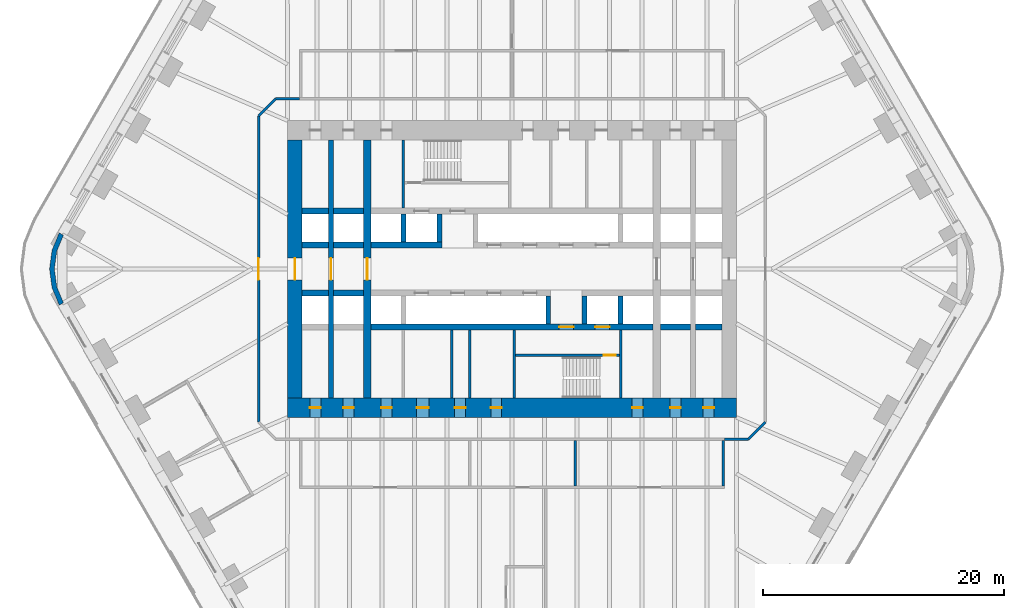
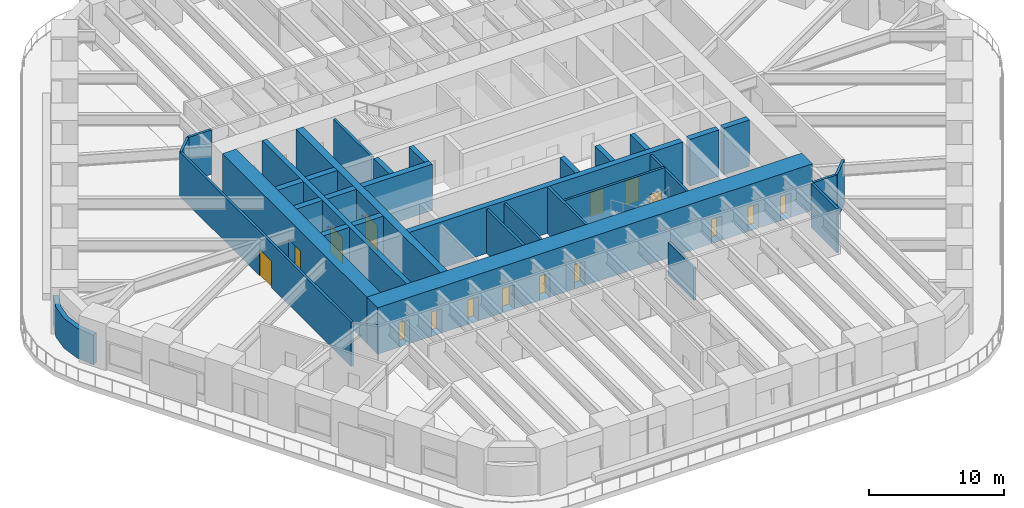
# One storey, part 17 of 23: 33 walls, 16 doors, 16 openings.
"""IFC4 building model written with IfcOpenShell, lengths in metres."""

import ifcopenshell
import ifcopenshell.guid

model = None  # the IFC model being written
_history = None  # IfcOwnerHistory: only IFC2X3 demands one
_inside = {}  # id of a spatial element -> (the spatial element, [elements in it])
_under = {}  # id of a project, library or spatial element -> (it, [spatial elements below it])
_declared = {}  # id of a project -> (the project, [libraries it declares])
_typed = {}  # id of a type object -> (the type object, [elements of that type])
_made_of = {}  # id of a material, layer set ... -> (it, [elements and type objects made of it])


def new_model(schema):
    """Start an empty IFC model of exactly this schema.

    Asked for "IFC4X3", IfcOpenShell would pick the latest addendum, in which some entities
    have other attributes; the version numbers below select the first issue.
    IFC2X3 requires an IfcOwnerHistory on every rooted entity: one is made here for all.
    """
    global model, _history
    if schema == "IFC4X3":
        model = ifcopenshell.file(schema_version=(4, 3, 0, 0))
    else:
        model = ifcopenshell.file(schema=schema)
    _inside.clear()
    _under.clear()
    _declared.clear()
    _typed.clear()
    _made_of.clear()
    _history = None
    if model.schema == "IFC2X3":
        org = make("IfcOrganization", Name="unknown")
        user = make(
            "IfcPersonAndOrganization",
            ThePerson=make("IfcPerson", FamilyName="unknown"),
            TheOrganization=org,
        )
        app = make(
            "IfcApplication",
            ApplicationDeveloper=org,
            Version="unknown",
            ApplicationFullName="unknown",
            ApplicationIdentifier="unknown",
        )
        _history = make(
            "IfcOwnerHistory",
            OwningUser=user,
            OwningApplication=app,
            ChangeAction="ADDED",
            CreationDate=0,
        )
    return model


def make(cls, **values):
    """One entity of the class cls with the attributes given. An attribute that is None is left unset."""
    return model.create_entity(
        cls, **{name: value for name, value in values.items() if value is not None}
    )


def rooted(cls, **values):
    """An entity with a GlobalId (a new one), such as an element, a storey or a relation."""
    return make(cls, GlobalId=ifcopenshell.guid.new(), OwnerHistory=_history, **values)


def si_unit(unit_type, name, prefix=None):
    """IfcSIUnit, for example si_unit("LENGTHUNIT", "METRE", prefix="MILLI")."""
    return make("IfcSIUnit", UnitType=unit_type, Prefix=prefix, Name=name)


def assignment(units):
    """IfcUnitAssignment: the units of a project."""
    return None if units is None else make("IfcUnitAssignment", Units=units)


def point(xyz):
    """IfcCartesianPoint."""
    return None if xyz is None else make("IfcCartesianPoint", Coordinates=xyz)


def direction(xyz):
    """IfcDirection."""
    return None if xyz is None else make("IfcDirection", DirectionRatios=xyz)


def frame(location, z_axis=None, x_axis=None):
    """IfcAxis2Placement3D, a coordinate frame: its origin and axes. An axis left out is left unset."""
    return make(
        "IfcAxis2Placement3D",
        Location=point(location),
        Axis=direction(z_axis),
        RefDirection=direction(x_axis),
    )


def frame_2d(location, x_axis=None):
    """IfcAxis2Placement2D, a coordinate frame in the plane: its origin and x axis."""
    return make(
        "IfcAxis2Placement2D", Location=point(location), RefDirection=direction(x_axis)
    )


def origin():
    """The frame at (0, 0, 0) with its axes left unset."""
    return frame((0.0, 0.0, 0.0))


def place(relative_to, where):
    """IfcLocalPlacement: puts the frame where relative to a parent placement (None: the world)."""
    return make(
        "IfcLocalPlacement", PlacementRelTo=relative_to, RelativePlacement=where
    )


def context(
    kind, dimensions, precision=None, world=None, true_north=None, identifier=None
):
    """IfcGeometricRepresentationContext, for example the 3D "Model" context."""
    return make(
        "IfcGeometricRepresentationContext",
        ContextIdentifier=identifier,
        ContextType=kind,
        CoordinateSpaceDimension=dimensions,
        Precision=precision,
        WorldCoordinateSystem=world,
        TrueNorth=true_north,
    )


def subcontext(parent, identifier, kind, view, scale=None):
    """IfcGeometricRepresentationSubContext, for example "Body" below "Model"."""
    return make(
        "IfcGeometricRepresentationSubContext",
        ContextIdentifier=identifier,
        ContextType=kind,
        ParentContext=parent,
        TargetScale=scale,
        TargetView=view,
    )


def project(units=None, contexts=None):
    """IfcProject with its units and contexts."""
    return rooted(
        "IfcProject",
        Name="project",
        RepresentationContexts=contexts,
        UnitsInContext=assignment(units),
    )


def spatial(cls, under=None, at=None, **own):
    """A site, building, storey or space (cls), placed at a placement, below another one or the project."""
    s = rooted(cls, ObjectPlacement=at, **own)
    if under is not None:
        _under.setdefault(under.id(), (under, []))[1].append(s)
    return s


def polyline(points):
    """IfcPolyline through the points."""
    return make("IfcPolyline", Points=[point(p) for p in points])


def profile(cls, at=None, kind="AREA", **sizes):
    """A parametric profile (cls). Its sizes go by their IFC names, for example OverallWidth=200.0."""
    return make(cls, ProfileType=kind, Position=at, **sizes)


def rectangle(**sizes):
    """IfcRectangleProfileDef."""
    return profile("IfcRectangleProfileDef", **sizes)


def outline(outer, holes=None, kind="AREA"):
    """IfcArbitraryClosedProfileDef: a profile drawn as a closed curve; with holes, ...WithVoids."""
    if holes is None:
        return make("IfcArbitraryClosedProfileDef", ProfileType=kind, OuterCurve=outer)
    return make(
        "IfcArbitraryProfileDefWithVoids",
        ProfileType=kind,
        OuterCurve=outer,
        InnerCurves=holes,
    )


def extrude(swept, where, along, depth):
    """IfcExtrudedAreaSolid: the profile swept, set in the frame where, extruded along a direction by depth."""
    return make(
        "IfcExtrudedAreaSolid",
        SweptArea=swept,
        Position=where,
        ExtrudedDirection=direction(along),
        Depth=depth,
    )


def shape(context_of_items, identifier, shape_type, items):
    """IfcShapeRepresentation: the items that make up one representation, for example the "Body"."""
    return make(
        "IfcShapeRepresentation",
        ContextOfItems=context_of_items,
        RepresentationIdentifier=identifier,
        RepresentationType=shape_type,
        Items=items,
    )


def material(Name=None, Category=None):
    """IfcMaterial."""
    return make("IfcMaterial", Name=Name, Category=Category)


def layer(
    of_material, thickness, ventilated=None, Name=None, Category=None, Priority=None
):
    """IfcMaterialLayer: one layer of a wall or slab, of a material (None: an air gap)."""
    return make(
        "IfcMaterialLayer",
        Material=of_material,
        LayerThickness=thickness,
        IsVentilated=ventilated,
        Name=Name,
        Category=Category,
        Priority=Priority,
    )


def layer_set(layers, Name=None):
    """IfcMaterialLayerSet."""
    return make("IfcMaterialLayerSet", MaterialLayers=layers, LayerSetName=Name)


def made_of(thing, what):
    """Note that an element or type object is made of a material, layer set ...; save() writes the relation."""
    if what is not None:
        _made_of.setdefault(what.id(), (what, []))[1].append(thing)
    return thing


def type_object(cls, material=None, **own):
    """A type object (cls), such as IfcWallType, which elements share."""
    return made_of(rooted(cls, **own), material)


def element(
    cls,
    number,
    at=None,
    inside=None,
    cuts=None,
    type_object=None,
    material=None,
    context=None,
    identifier="Body",
    shape_type=None,
    held_by="IfcProductDefinitionShape",
    body=None,
    shapes=None,
    **own,
):
    """One element of the class cls, such as IfcWall. Its Tag is "e" and its number.

    at: its placement. inside: the storey or other place that contains it. cuts: it is an
    opening in that element (IfcRelVoidsElement). A single representation is given by context,
    identifier, shape_type and body (its items); several are given by shapes. held_by: the class
    of the entity that holds the representations. save() writes the other relations.
    """
    e = rooted(cls, Tag="e%d" % number, ObjectPlacement=at, **own)
    if body is not None:
        shapes = [shape(context, identifier, shape_type, body)]
    if shapes is not None:
        e.Representation = make(held_by, Representations=shapes)
    if inside is not None:
        _inside.setdefault(inside.id(), (inside, []))[1].append(e)
    if cuts is not None:
        rooted(
            "IfcRelVoidsElement", RelatingBuildingElement=cuts, RelatedOpeningElement=e
        )
    if type_object is not None:
        _typed.setdefault(type_object.id(), (type_object, []))[1].append(e)
    return made_of(e, material)


def fill(opening, filler):
    """IfcRelFillsElement: the door or window that sits in an opening."""
    return rooted(
        "IfcRelFillsElement",
        RelatingOpeningElement=opening,
        RelatedBuildingElement=filler,
    )


def aggregate(whole, parts):
    """IfcRelAggregates: a whole, such as a stair, and the parts it consists of."""
    return rooted("IfcRelAggregates", RelatingObject=whole, RelatedObjects=parts)


def save(model, path):
    """Write the relations noted so far, then the file.

    IfcRelAggregates (storeys below a building ...), IfcRelContainedInSpatialStructure (elements
    in a storey), IfcRelDefinesByType, IfcRelAssociatesMaterial and IfcRelDeclares: one each for
    every whole, place, type object, material and project.
    """
    for whole, parts in _under.values():
        aggregate(whole, parts)
    for where, things in _inside.values():
        rooted(
            "IfcRelContainedInSpatialStructure",
            RelatedElements=things,
            RelatingStructure=where,
        )
    for kind, things in _typed.values():
        rooted("IfcRelDefinesByType", RelatedObjects=things, RelatingType=kind)
    for what, things in _made_of.values():
        rooted("IfcRelAssociatesMaterial", RelatedObjects=things, RelatingMaterial=what)
    for by, libraries in _declared.values():
        rooted("IfcRelDeclares", RelatingContext=by, RelatedDefinitions=libraries)
    model.write(path)


model = new_model("IFC4")

# Units and contexts
model_context = context("Model", 3, precision=1e-05, world=origin(), true_north=direction((0.0, 1.0)))
body_context = subcontext(model_context, "Body", "Model", "MODEL_VIEW")
ifc_project = project(units=[si_unit("LENGTHUNIT", "METRE"), si_unit("AREAUNIT", "SQUARE_METRE"), si_unit("VOLUMEUNIT", "CUBIC_METRE"), si_unit("PLANEANGLEUNIT", "RADIAN"), si_unit("MASSUNIT", "GRAM", prefix="KILO")], contexts=[model_context])

# Site, building, storey
site_placement = place(None, origin())
site = spatial("IfcSite", under=ifc_project, at=site_placement, CompositionType="ELEMENT")
building_placement = place(site_placement, origin())
building = spatial("IfcBuilding", under=site, at=building_placement, Name="Tarfa Lantern Tower", CompositionType="ELEMENT")
storey_placement = place(building_placement, frame((0.0, 0.0, 36.10009765625)))
storey = spatial("IfcBuildingStorey", under=building, at=storey_placement, Name="L07", CompositionType="ELEMENT", Elevation=36.10009765625)

# Walls
ifc_material_1 = material(Name="Limestone cladding on blockwork", Category="masonry")
ifc_layer_1 = layer(ifc_material_1, 0.39990234375)
ifc_layer_set_1 = layer_set([ifc_layer_1], Name="EW2 CURVED STONE CORNER 400")
wall_type_1 = type_object("IfcWallType", Name="EW2 CURVED STONE CORNER 400", PredefinedType="SOLIDWALL", material=ifc_layer_set_1)
wall_1_placement = place(storey_placement, origin())
element("IfcWall", 1, at=wall_1_placement, inside=storey, type_object=wall_type_1, Name="Stone corner NW-SW", PredefinedType="SOLIDWALL", context=body_context, shape_type="SweptSolid", body=[
    extrude(outline(polyline([(-37.52783203125, 3.0), (-38.127197265625, 1.552978515625), (-38.33154296875, 0.0), (-38.127197265625, -1.552978515625), (-37.52783203125, -3.0), (-37.181396484375, -2.800048828125), (-37.74072265625, -1.449462890625), (-37.931640625, 0.0), (-37.74072265625, 1.449462890625), (-37.181396484375, 2.800048828125), (-37.52783203125, 3.0)])), origin(), (0.0, 0.0, 1.0), 2.699951171875),
])
ifc_material_2 = material(Name="Concrete blockwork", Category="masonry")
ifc_layer_2 = layer(ifc_material_2, 0.199951171875)
ifc_layer_set_2 = layer_set([ifc_layer_2], Name="IW1 BLOCKWORK PARTITION 200 EI 120")
wall_type_2 = type_object("IfcWallType", Name="IW1 BLOCKWORK PARTITION 200 EI 120", PredefinedType="PARTITIONING", material=ifc_layer_set_2)
for number, where, z_axis, x_axis, name in (
    (2, (-9.0, 5.050048828125, 0.0), (0.0, 0.0, 1.0), (0.0, 1.0, 0.0), "Core partition"),
    (3, (9.0, -5.050048828125, 0.0), (0.0, 0.0, 1.0), (0.0, -1.0, 0.0), "Core partition"),
    (4, (-3.5, -5.050048828125, 0.0), (0.0, 0.0, 1.0), (0.0, -1.0, 0.0), "Core partition"),
    (5, (-5.0, -5.050048828125, 0.0), (0.0, 0.0, 1.0), (0.0, -1.0, 0.0), "Core partition"),
):
    element("IfcWall", number, at=place(storey_placement, frame(where, z_axis=z_axis, x_axis=x_axis)), inside=storey, type_object=wall_type_2, Name=name, PredefinedType="PARTITIONING", context=body_context, shape_type="SweptSolid", body=[
        extrude(rectangle(XDim=5.64990234375, YDim=0.199951171875, at=frame_2d((2.824951171875, 0.0))), origin(), (0.0, 0.0, 1.0), 4.0),
    ])
ifc_material_3 = material(Name="Gypsum board on steel studs", Category="steel")
ifc_layer_3 = layer(ifc_material_3, 0.2099609375)
ifc_layer_set_3 = layer_set([ifc_layer_3], Name="IW2 ACOUSTIC PARTITION 200")
wall_type_3 = type_object("IfcWallType", Name="IW2 ACOUSTIC PARTITION 200", PredefinedType="PARTITIONING", material=ifc_layer_set_3)
wall_2_placement = place(storey_placement, frame((17.5, -14.199951171875, 0.0), z_axis=(0.0, 0.0, 1.0), x_axis=(0.0, -1.0, 0.0)))
element("IfcWall", 6, at=wall_2_placement, inside=storey, type_object=wall_type_3, Name="Partition", PredefinedType="PARTITIONING", context=body_context, shape_type="SweptSolid", body=[
    extrude(rectangle(XDim=3.800048828125, YDim=0.199951171875, at=frame_2d((1.89990234375, 0.0))), origin(), (0.0, 0.0, 1.0), 4.0),
])
wall_3_placement = place(storey_placement, frame((5.25, -14.199951171875, 0.0), z_axis=(0.0, 0.0, 1.0), x_axis=(0.0, -1.0, 0.0)))
element("IfcWall", 7, at=wall_3_placement, inside=storey, type_object=wall_type_3, Name="Partition", PredefinedType="PARTITIONING", context=body_context, shape_type="SweptSolid", body=[
    extrude(rectangle(XDim=3.800048828125, YDim=0.199951171875, at=frame_2d((1.89990234375, 0.0))), origin(), (0.0, 0.0, 1.0), 2.94384765625),
])
wall_4_placement = place(storey_placement, frame((-19.60009765625, 14.10009765625, 0.0), z_axis=(0.0, 0.0, 1.0), x_axis=(1.0, 0.0, 0.0)))
element("IfcWall", 8, at=wall_4_placement, inside=storey, type_object=wall_type_3, Name="Partition", PredefinedType="PARTITIONING", context=body_context, shape_type="SweptSolid", body=[
    extrude(rectangle(XDim=2.0, YDim=0.199951171875, at=frame_2d((1.0, 0.0))), origin(), (0.0, 0.0, 1.0), 4.0),
])
wall_5_placement = place(storey_placement, frame((21.0, -12.699951171875, 0.0), z_axis=(0.0, 0.0, 1.0), x_axis=(-0.707045124756, -0.707168432242, 0.0)))
element("IfcWall", 9, at=wall_5_placement, inside=storey, type_object=wall_type_3, Name="Partition", PredefinedType="PARTITIONING", context=body_context, shape_type="SweptSolid", body=[
    extrude(rectangle(XDim=1.97998046875, YDim=0.199951171875, at=frame_2d((0.989990234375, 0.0))), origin(), (0.0, 0.0, 1.0), 4.0),
])
wall_6_placement = place(storey_placement, frame((19.60009765625, -14.10009765625, 0.0), z_axis=(0.0, 0.0, 1.0), x_axis=(-1.0, 0.0, 0.0)))
element("IfcWall", 10, at=wall_6_placement, inside=storey, type_object=wall_type_3, Name="Partition", PredefinedType="PARTITIONING", context=body_context, shape_type="SweptSolid", body=[
    extrude(rectangle(XDim=2.0, YDim=0.199951171875, at=frame_2d((1.0, 0.0))), origin(), (0.0, 0.0, 1.0), 4.0),
])

# Wall, opening, door
wall_7_placement = place(storey_placement, frame((-21.0, -12.699951171875, 0.0), z_axis=(0.0, 0.0, 1.0), x_axis=(0.0, 1.0, 0.0)))
wall_7 = element("IfcWall", 11, at=wall_7_placement, inside=storey, type_object=wall_type_3, Name="Partition", PredefinedType="PARTITIONING", context=body_context, shape_type="SweptSolid", body=[
    extrude(rectangle(XDim=25.39990234375, YDim=0.199951171875, at=frame_2d((12.699951171875, 0.0))), origin(), (0.0, 0.0, 1.0), 4.0),
])
opening_1_placement = place(wall_7_placement, frame((11.800048828125, 0.0, 0.0)))
opening_1 = element("IfcOpeningElement", 12, at=opening_1_placement, cuts=wall_7, Name="Opening D39", PredefinedType="OPENING", context=body_context, shape_type="SweptSolid", body=[
    extrude(rectangle(XDim=1.800048828125, YDim=2.39990234375, at=frame_2d((0.89990234375, 1.199951171875))), frame((0.0, 0.10986328125, 0.0), z_axis=(0.0, -1.0, 0.0), x_axis=(1.0, 0.0, 0.0)), (0.0, 0.0, 1.0), 0.219970703125),
])
ifc_material_4 = material(Name="Timber door", Category="wood")
door_type_1 = type_object("IfcDoorType", Name="DR2 ROOM DOOR 1800x2400", OperationType="DOUBLE_DOOR_SINGLE_SWING", PredefinedType="DOOR", material=ifc_material_4)
door_1_placement = place(opening_1_placement, origin())
door_1 = element("IfcDoor", 13, at=door_1_placement, inside=storey, type_object=door_type_1, Name="Corridor door", OperationType="DOUBLE_DOOR_SINGLE_SWING", OverallHeight=2.39990234375, OverallWidth=1.800048828125, PredefinedType="DOOR", context=body_context, shape_type="SweptSolid", body=[
    extrude(rectangle(XDim=1.800048828125, YDim=2.39990234375, at=frame_2d((0.89990234375, 1.199951171875))), frame((0.0, 0.02490234375, 0.0), z_axis=(0.0, -1.0, 0.0), x_axis=(1.0, 0.0, 0.0)), (0.0, 0.0, 1.0), 0.050048828125),
])
fill(opening_1, door_1)

# Wall
wall_8_placement = place(storey_placement, frame((-21.0, 12.699951171875, 0.0), z_axis=(0.0, 0.0, 1.0), x_axis=(0.707045124756, 0.707168432242, 0.0)))
element("IfcWall", 14, at=wall_8_placement, inside=storey, type_object=wall_type_3, Name="Partition", PredefinedType="PARTITIONING", context=body_context, shape_type="SweptSolid", body=[
    extrude(rectangle(XDim=1.97998046875, YDim=0.199951171875, at=frame_2d((0.989990234375, 0.0))), origin(), (0.0, 0.0, 1.0), 4.0),
])

# Wall, opening, door
ifc_material_5 = material(Name="Concrete C80/95", Category="concrete")
ifc_layer_4 = layer(ifc_material_5, 1.199951171875)
ifc_layer_set_4 = layer_set([ifc_layer_4], Name="SW1 CORE WALL 1200")
wall_type_4 = type_object("IfcWallType", Name="SW1 CORE WALL 1200", PredefinedType="SHEAR", material=ifc_layer_set_4)
wall_9_placement = place(storey_placement, frame((-18.0, 10.699951171875, 0.0), z_axis=(0.0, 0.0, 1.0), x_axis=(0.0, -1.0, 0.0)))
wall_9 = element("IfcWall", 15, at=wall_9_placement, inside=storey, type_object=wall_type_4, Name="Core wall W", PredefinedType="SHEAR", context=body_context, shape_type="SweptSolid", body=[
    extrude(rectangle(XDim=21.39990234375, YDim=1.199951171875, at=frame_2d((10.699951171875, 0.0))), origin(), (0.0, 0.0, 1.0), 4.199951171875),
])
opening_2_placement = place(wall_9_placement, frame((9.800048828125, 0.0, 0.0)))
opening_2 = element("IfcOpeningElement", 16, at=opening_2_placement, cuts=wall_9, Name="Opening D16", PredefinedType="OPENING", context=body_context, shape_type="SweptSolid", body=[
    extrude(rectangle(XDim=1.800048828125, YDim=2.39990234375, at=frame_2d((0.89990234375, 1.199951171875))), frame((0.0, 0.60986328125, 0.0), z_axis=(0.0, -1.0, 0.0), x_axis=(1.0, 0.0, 0.0)), (0.0, 0.0, 1.0), 1.219970703125),
])
ifc_material_6 = material(Name="Steel fire door", Category="steel")
door_type_2 = type_object("IfcDoorType", Name="DL1 LOBBY DOOR 1800x2400", OperationType="DOUBLE_DOOR_SINGLE_SWING", PredefinedType="DOOR", material=ifc_material_6)
door_2_placement = place(opening_2_placement, frame((1.800048828125, 0.0, 0.0), z_axis=(0.0, 0.0, 1.0), x_axis=(-1.0, 0.0, 0.0)))
door_2 = element("IfcDoor", 17, at=door_2_placement, inside=storey, type_object=door_type_2, Name="Lift lobby door", OperationType="DOUBLE_DOOR_SINGLE_SWING", OverallHeight=2.39990234375, OverallWidth=1.800048828125, PredefinedType="DOOR", context=body_context, shape_type="SweptSolid", body=[
    extrude(rectangle(XDim=1.800048828125, YDim=2.39990234375, at=frame_2d((0.89990234375, 1.199951171875))), frame((0.0, 0.02490234375, 0.0), z_axis=(0.0, -1.0, 0.0), x_axis=(1.0, 0.0, 0.0)), (0.0, 0.0, 1.0), 0.050048828125),
])
fill(opening_2, door_2)

# Wall
ifc_layer_5 = layer(ifc_material_5, 0.199951171875)
ifc_layer_set_5 = layer_set([ifc_layer_5], Name="SW12 CORE WALL 200")
wall_type_5 = type_object("IfcWallType", Name="SW12 CORE WALL 200", PredefinedType="SHEAR", material=ifc_layer_set_5)
wall_10_placement = place(storey_placement, frame((0.199951171875, -5.050048828125, 0.0), z_axis=(0.0, 0.0, 1.0), x_axis=(0.0, -1.0, 0.0)))
element("IfcWall", 18, at=wall_10_placement, inside=storey, type_object=wall_type_5, Name="Core wall stair shaft S", PredefinedType="SHEAR", context=body_context, shape_type="SweptSolid", body=[
    extrude(rectangle(XDim=5.64990234375, YDim=0.199951171875, at=frame_2d((2.824951171875, 0.0))), origin(), (0.0, 0.0, 1.0), 4.199951171875),
])

# Wall, opening, door
wall_11_placement = place(storey_placement, frame((8.89990234375, -7.14990234375, 0.0), z_axis=(0.0, 0.0, 1.0), x_axis=(-1.0, 0.0, 0.0)))
wall_11 = element("IfcWall", 19, at=wall_11_placement, inside=storey, type_object=wall_type_5, Name="Core wall stair partition S", PredefinedType="SHEAR", context=body_context, shape_type="SweptSolid", body=[
    extrude(rectangle(XDim=8.599853515625, YDim=0.199951171875, at=frame_2d((4.2998046875, 0.0))), origin(), (0.0, 0.0, 1.0), 4.199951171875),
])
opening_3_placement = place(wall_11_placement, frame((0.300048828125, 0.0, 0.0)))
opening_3 = element("IfcOpeningElement", 20, at=opening_3_placement, cuts=wall_11, Name="Opening D24", PredefinedType="OPENING", context=body_context, shape_type="SweptSolid", body=[
    extrude(rectangle(XDim=1.0, YDim=2.199951171875, at=frame_2d((0.5, 1.10009765625))), frame((0.0, 0.10986328125, 0.0), z_axis=(0.0, -1.0, 0.0), x_axis=(1.0, 0.0, 0.0)), (0.0, 0.0, 1.0), 0.219970703125),
])
door_type_3 = type_object("IfcDoorType", Name="DF2 STAIR DOOR 1000x2200", OperationType="SINGLE_SWING_LEFT", PredefinedType="DOOR", material=ifc_material_6)
door_3_placement = place(opening_3_placement, origin())
door_3 = element("IfcDoor", 21, at=door_3_placement, inside=storey, type_object=door_type_3, Name="Stair door", OperationType="SINGLE_SWING_RIGHT", OverallHeight=2.199951171875, OverallWidth=1.0, PredefinedType="DOOR", context=body_context, shape_type="SweptSolid", body=[
    extrude(rectangle(XDim=1.0, YDim=2.199951171875, at=frame_2d((0.5, 1.10009765625))), frame((0.0, 0.02490234375, 0.0), z_axis=(0.0, -1.0, 0.0), x_axis=(1.0, 0.0, 0.0)), (0.0, 0.0, 1.0), 0.050048828125),
])
fill(opening_3, door_3)

# Walls
ifc_layer_6 = layer(ifc_material_5, 0.5)
ifc_layer_set_6 = layer_set([ifc_layer_6], Name="SW5 CORE WALL 500")
wall_type_6 = type_object("IfcWallType", Name="SW5 CORE WALL 500", PredefinedType="SHEAR", material=ifc_layer_set_6)
wall_12_placement = place(storey_placement, frame((-17.39990234375, 2.0, 0.0), z_axis=(0.0, 0.0, 1.0), x_axis=(1.0, 0.0, 0.0)))
element("IfcWall", 22, at=wall_12_placement, inside=storey, type_object=wall_type_6, Name="Core wall lobby west N", PredefinedType="SHEAR", context=body_context, shape_type="SweptSolid", body=[
    extrude(rectangle(XDim=2.199951171875, YDim=0.5, at=frame_2d((1.10009765625, 0.0))), origin(), (0.0, 0.0, 1.0), 4.199951171875),
])
wall_13_placement = place(storey_placement, frame((-14.800048828125, 2.0, 0.0), z_axis=(0.0, 0.0, 1.0), x_axis=(1.0, 0.0, 0.0)))
element("IfcWall", 23, at=wall_13_placement, inside=storey, type_object=wall_type_6, Name="Core wall lobby west N", PredefinedType="SHEAR", context=body_context, shape_type="SweptSolid", body=[
    extrude(rectangle(XDim=2.5, YDim=0.5, at=frame_2d((1.25, 0.0))), origin(), (0.0, 0.0, 1.0), 4.199951171875),
])
wall_14_placement = place(storey_placement, frame((-11.699951171875, 2.0, 0.0), z_axis=(0.0, 0.0, 1.0), x_axis=(1.0, 0.0, 0.0)))
element("IfcWall", 24, at=wall_14_placement, inside=storey, type_object=wall_type_6, Name="Core wall lobby west N", PredefinedType="SHEAR", context=body_context, shape_type="SweptSolid", body=[
    extrude(rectangle(XDim=5.89990234375, YDim=0.5, at=frame_2d((2.949951171875, 0.0))), origin(), (0.0, 0.0, 1.0), 4.199951171875),
])
wall_15_placement = place(storey_placement, frame((-17.39990234375, 4.800048828125, 0.0), z_axis=(0.0, 0.0, 1.0), x_axis=(1.0, 0.0, 0.0)))
element("IfcWall", 25, at=wall_15_placement, inside=storey, type_object=wall_type_6, Name="Core wall rear N", PredefinedType="SHEAR", context=body_context, shape_type="SweptSolid", body=[
    extrude(rectangle(XDim=2.199951171875, YDim=0.5, at=frame_2d((1.10009765625, 0.0))), origin(), (0.0, 0.0, 1.0), 4.199951171875),
])
for number, where, z_axis, x_axis, name in (
    (26, (-14.800048828125, 4.800048828125, 0.0), (0.0, 0.0, 1.0), (1.0, 0.0, 0.0), "Core wall rear N"),
    (27, (-12.300048828125, -2.0, 0.0), (0.0, 0.0, 1.0), (-1.0, 0.0, 0.0), "Core wall lobby east S"),
):
    element("IfcWall", number, at=place(storey_placement, frame(where, z_axis=z_axis, x_axis=x_axis)), inside=storey, type_object=wall_type_6, Name=name, PredefinedType="SHEAR", context=body_context, shape_type="SweptSolid", body=[
        extrude(rectangle(XDim=2.5, YDim=0.5, at=frame_2d((1.25, 0.0))), origin(), (0.0, 0.0, 1.0), 4.199951171875),
    ])
for number, where, z_axis, x_axis, name in (
    (28, (-15.199951171875, -2.0, 0.0), (0.0, 0.0, 1.0), (-1.0, 0.0, 0.0), "Core wall lobby east S"),
    (29, (17.39990234375, -4.800048828125, 0.0), (0.0, 0.0, 1.0), (-1.0, 0.0, 0.0), "Core wall rear S"),
):
    element("IfcWall", number, at=place(storey_placement, frame(where, z_axis=z_axis, x_axis=x_axis)), inside=storey, type_object=wall_type_6, Name=name, PredefinedType="SHEAR", context=body_context, shape_type="SweptSolid", body=[
        extrude(rectangle(XDim=2.199951171875, YDim=0.5, at=frame_2d((1.10009765625, 0.0))), origin(), (0.0, 0.0, 1.0), 4.199951171875),
    ])
wall_16_placement = place(storey_placement, frame((14.800048828125, -4.800048828125, 0.0), z_axis=(0.0, 0.0, 1.0), x_axis=(-1.0, 0.0, 0.0)))
element("IfcWall", 30, at=wall_16_placement, inside=storey, type_object=wall_type_6, Name="Core wall rear S", PredefinedType="SHEAR", context=body_context, shape_type="SweptSolid", body=[
    extrude(rectangle(XDim=2.5, YDim=0.5, at=frame_2d((1.25, 0.0))), origin(), (0.0, 0.0, 1.0), 4.199951171875),
])

# Wall, openings, doors
wall_17_placement = place(storey_placement, frame((11.699951171875, -4.800048828125, 0.0), z_axis=(0.0, 0.0, 1.0), x_axis=(-1.0, 0.0, 0.0)))
wall_17 = element("IfcWall", 31, at=wall_17_placement, inside=storey, type_object=wall_type_6, Name="Core wall rear S", PredefinedType="SHEAR", context=body_context, shape_type="SweptSolid", body=[
    extrude(rectangle(XDim=23.39990234375, YDim=0.5, at=frame_2d((11.699951171875, 0.0))), origin(), (0.0, 0.0, 1.0), 4.199951171875),
])
opening_4_placement = place(wall_17_placement, frame((6.60009765625, 0.0, 0.0)))
opening_4 = element("IfcOpeningElement", 32, at=opening_4_placement, cuts=wall_17, Name="Opening D14", PredefinedType="OPENING", context=body_context, shape_type="SweptSolid", body=[
    extrude(rectangle(XDim=1.199951171875, YDim=2.199951171875, at=frame_2d((0.60009765625, 1.10009765625))), frame((0.0, 0.260009765625, 0.0), z_axis=(0.0, -1.0, 0.0), x_axis=(1.0, 0.0, 0.0)), (0.0, 0.0, 1.0), 0.52001953125),
])
opening_5_placement = place(wall_17_placement, frame((3.60009765625, 0.0, 0.0)))
opening_5 = element("IfcOpeningElement", 33, at=opening_5_placement, cuts=wall_17, Name="Opening LD02", PredefinedType="OPENING", context=body_context, shape_type="SweptSolid", body=[
    extrude(rectangle(XDim=1.199951171875, YDim=2.199951171875, at=frame_2d((0.60009765625, 1.10009765625))), frame((0.0, 0.260009765625, 0.0), z_axis=(0.0, -1.0, 0.0), x_axis=(1.0, 0.0, 0.0)), (0.0, 0.0, 1.0), 0.52001953125),
])
door_type_4 = type_object("IfcDoorType", Name="DF1 FIREFIGHTING LOBBY DOOR 1200x2200", OperationType="SINGLE_SWING_LEFT", PredefinedType="DOOR", material=ifc_material_6)
door_4_placement = place(opening_4_placement, origin())
door_4 = element("IfcDoor", 34, at=door_4_placement, inside=storey, type_object=door_type_4, Name="Firefighting lobby door", OperationType="SINGLE_SWING_LEFT", OverallHeight=2.199951171875, OverallWidth=1.199951171875, PredefinedType="DOOR", context=body_context, shape_type="SweptSolid", body=[
    extrude(rectangle(XDim=1.199951171875, YDim=2.199951171875, at=frame_2d((0.60009765625, 1.10009765625))), frame((0.0, 0.02490234375, 0.0), z_axis=(0.0, -1.0, 0.0), x_axis=(1.0, 0.0, 0.0)), (0.0, 0.0, 1.0), 0.050048828125),
])
fill(opening_4, door_4)
ifc_material_7 = material(Name="Stainless steel lift door", Category="steel")
door_type_5 = type_object("IfcDoorType", Name="LD1 LIFT LANDING DOOR 1200x2200", OperationType="SLIDING_TO_LEFT", PredefinedType="DOOR", material=ifc_material_7)
door_5_placement = place(opening_5_placement, origin())
door_5 = element("IfcDoor", 35, at=door_5_placement, inside=storey, type_object=door_type_5, Name="Landing door FL2", OperationType="SLIDING_TO_LEFT", OverallHeight=2.199951171875, OverallWidth=1.199951171875, PredefinedType="DOOR", context=body_context, shape_type="SweptSolid", body=[
    extrude(rectangle(XDim=1.199951171875, YDim=2.199951171875, at=frame_2d((0.60009765625, 1.10009765625))), frame((0.0, 0.02490234375, 0.0), z_axis=(0.0, -1.0, 0.0), x_axis=(1.0, 0.0, 0.0)), (0.0, 0.0, 1.0), 0.050048828125),
])
fill(opening_5, door_5)

# Wall, opening, door
ifc_layer_7 = layer(ifc_material_5, 0.39990234375)
ifc_layer_set_7 = layer_set([ifc_layer_7], Name="SW6 CORE WALL 400")
wall_type_7 = type_object("IfcWallType", Name="SW6 CORE WALL 400", PredefinedType="SHEAR", material=ifc_layer_set_7)
wall_18_placement = place(storey_placement, frame((-15.0, -10.699951171875, 0.0), z_axis=(0.0, 0.0, 1.0), x_axis=(0.0, 1.0, 0.0)))
wall_18 = element("IfcWall", 36, at=wall_18_placement, inside=storey, type_object=wall_type_7, Name="Core wall cross 15 m west", PredefinedType="SHEAR", context=body_context, shape_type="SweptSolid", body=[
    extrude(rectangle(XDim=21.39990234375, YDim=0.39990234375, at=frame_2d((10.699951171875, 0.0))), origin(), (0.0, 0.0, 1.0), 4.199951171875),
])
opening_6_placement = place(wall_18_placement, frame((9.800048828125, 0.0, 0.0)))
opening_6 = element("IfcOpeningElement", 37, at=opening_6_placement, cuts=wall_18, Name="Opening D28", PredefinedType="OPENING", context=body_context, shape_type="SweptSolid", body=[
    extrude(rectangle(XDim=1.800048828125, YDim=2.39990234375, at=frame_2d((0.89990234375, 1.199951171875))), frame((0.0, 0.2099609375, 0.0), z_axis=(0.0, -1.0, 0.0), x_axis=(1.0, 0.0, 0.0)), (0.0, 0.0, 1.0), 0.419921875),
])
door_6_placement = place(opening_6_placement, origin())
door_6 = element("IfcDoor", 38, at=door_6_placement, inside=storey, type_object=door_type_2, Name="Lift lobby door", OperationType="DOUBLE_DOOR_SINGLE_SWING", OverallHeight=2.39990234375, OverallWidth=1.800048828125, PredefinedType="DOOR", context=body_context, shape_type="SweptSolid", body=[
    extrude(rectangle(XDim=1.800048828125, YDim=2.39990234375, at=frame_2d((0.89990234375, 1.199951171875))), frame((0.0, 0.02490234375, 0.0), z_axis=(0.0, -1.0, 0.0), x_axis=(1.0, 0.0, 0.0)), (0.0, 0.0, 1.0), 0.050048828125),
])
fill(opening_6, door_6)

# Walls
for number, where, z_axis, x_axis, name in (
    (39, (-9.0, 2.25, 0.0), (0.0, 0.0, 1.0), (0.0, 1.0, 0.0), "Core wall divider N"),
    (40, (-6.0, 2.25, 0.0), (0.0, 0.0, 1.0), (0.0, 1.0, 0.0), "Core wall divider N"),
    (41, (9.0, -2.25, 0.0), (0.0, 0.0, 1.0), (0.0, -1.0, 0.0), "Core wall divider S"),
    (42, (6.0, -2.25, 0.0), (0.0, 0.0, 1.0), (0.0, -1.0, 0.0), "Core wall divider S"),
    (43, (3.0, -2.25, 0.0), (0.0, 0.0, 1.0), (0.0, -1.0, 0.0), "Core wall divider S"),
):
    element("IfcWall", number, at=place(storey_placement, frame(where, z_axis=z_axis, x_axis=x_axis)), inside=storey, type_object=wall_type_7, Name=name, PredefinedType="SHEAR", context=body_context, shape_type="SweptSolid", body=[
        extrude(rectangle(XDim=2.300048828125, YDim=0.39990234375, at=frame_2d((1.14990234375, 0.0))), origin(), (0.0, 0.0, 1.0), 4.199951171875),
    ])

# Wall, openings, doors
ifc_layer_8 = layer(ifc_material_5, 1.60009765625)
ifc_layer_set_8 = layer_set([ifc_layer_8], Name="SW7 CORE WALL 1600")
wall_type_8 = type_object("IfcWallType", Name="SW7 CORE WALL 1600", PredefinedType="SHEAR", material=ifc_layer_set_8)
wall_19_placement = place(storey_placement, frame((18.60009765625, -11.5, 0.0), z_axis=(0.0, 0.0, 1.0), x_axis=(-1.0, 0.0, 0.0)))
wall_19 = element("IfcWall", 44, at=wall_19_placement, inside=storey, type_object=wall_type_8, Name="Core wall S", PredefinedType="SHEAR", context=body_context, shape_type="SweptSolid", body=[
    extrude(rectangle(XDim=37.2001953125, YDim=1.60009765625, at=frame_2d((18.60009765625, 0.0))), origin(), (0.0, 0.0, 1.0), 4.199951171875),
])
opening_7_placement = place(wall_19_placement, frame((19.449951171875, 0.0, 0.0)))
opening_7 = element("IfcOpeningElement", 45, at=opening_7_placement, cuts=wall_19, Name="Opening D18", PredefinedType="OPENING", context=body_context, shape_type="SweptSolid", body=[
    extrude(rectangle(XDim=0.89990234375, YDim=2.199951171875, at=frame_2d((0.449951171875, 1.10009765625))), frame((0.0, 0.81005859375, 0.0), z_axis=(0.0, -1.0, 0.0), x_axis=(1.0, 0.0, 0.0)), (0.0, 0.0, 1.0), 1.6201171875),
])
opening_8_placement = place(wall_19_placement, frame((22.449951171875, 0.0, 0.0)))
opening_8 = element("IfcOpeningElement", 46, at=opening_8_placement, cuts=wall_19, Name="Opening D20", PredefinedType="OPENING", context=body_context, shape_type="SweptSolid", body=[
    extrude(rectangle(XDim=0.89990234375, YDim=2.199951171875, at=frame_2d((0.449951171875, 1.10009765625))), frame((0.0, 0.81005859375, 0.0), z_axis=(0.0, -1.0, 0.0), x_axis=(1.0, 0.0, 0.0)), (0.0, 0.0, 1.0), 1.6201171875),
])
opening_9_placement = place(wall_19_placement, frame((25.5, 0.0, 0.0)))
opening_9 = element("IfcOpeningElement", 47, at=opening_9_placement, cuts=wall_19, Name="Opening D22", PredefinedType="OPENING", context=body_context, shape_type="SweptSolid", body=[
    extrude(rectangle(XDim=1.0, YDim=2.199951171875, at=frame_2d((0.5, 1.10009765625))), frame((0.0, 0.81005859375, 0.0), z_axis=(0.0, -1.0, 0.0), x_axis=(1.0, 0.0, 0.0)), (0.0, 0.0, 1.0), 1.6201171875),
])
opening_10_placement = place(wall_19_placement, frame((1.85009765625, 0.0, 0.0)))
opening_10 = element("IfcOpeningElement", 48, at=opening_10_placement, cuts=wall_19, Name="Opening D12", PredefinedType="OPENING", context=body_context, shape_type="SweptSolid", body=[
    extrude(rectangle(XDim=0.89990234375, YDim=2.199951171875, at=frame_2d((0.449951171875, 1.10009765625))), frame((0.0, 0.81005859375, 0.0), z_axis=(0.0, -1.0, 0.0), x_axis=(1.0, 0.0, 0.0)), (0.0, 0.0, 1.0), 1.6201171875),
])
opening_11_placement = place(wall_19_placement, frame((4.60009765625, 0.0, 0.0)))
opening_11 = element("IfcOpeningElement", 49, at=opening_11_placement, cuts=wall_19, Name="Opening D08", PredefinedType="OPENING", context=body_context, shape_type="SweptSolid", body=[
    extrude(rectangle(XDim=0.89990234375, YDim=2.199951171875, at=frame_2d((0.449951171875, 1.10009765625))), frame((0.0, 0.81005859375, 0.0), z_axis=(0.0, -1.0, 0.0), x_axis=(1.0, 0.0, 0.0)), (0.0, 0.0, 1.0), 1.6201171875),
])
opening_12_placement = place(wall_19_placement, frame((7.75, 0.0, 0.0)))
opening_12 = element("IfcOpeningElement", 50, at=opening_12_placement, cuts=wall_19, Name="Opening D10", PredefinedType="OPENING", context=body_context, shape_type="SweptSolid", body=[
    extrude(rectangle(XDim=0.89990234375, YDim=2.199951171875, at=frame_2d((0.449951171875, 1.10009765625))), frame((0.0, 0.81005859375, 0.0), z_axis=(0.0, -1.0, 0.0), x_axis=(1.0, 0.0, 0.0)), (0.0, 0.0, 1.0), 1.6201171875),
])
opening_13_placement = place(wall_19_placement, frame((28.550048828125, 0.0, 0.0)))
opening_13 = element("IfcOpeningElement", 51, at=opening_13_placement, cuts=wall_19, Name="Opening D06", PredefinedType="OPENING", context=body_context, shape_type="SweptSolid", body=[
    extrude(rectangle(XDim=0.89990234375, YDim=2.199951171875, at=frame_2d((0.449951171875, 1.10009765625))), frame((0.0, 0.81005859375, 0.0), z_axis=(0.0, -1.0, 0.0), x_axis=(1.0, 0.0, 0.0)), (0.0, 0.0, 1.0), 1.6201171875),
])
opening_14_placement = place(wall_19_placement, frame((31.699951171875, 0.0, 0.0)))
opening_14 = element("IfcOpeningElement", 52, at=opening_14_placement, cuts=wall_19, Name="Opening D02", PredefinedType="OPENING", context=body_context, shape_type="SweptSolid", body=[
    extrude(rectangle(XDim=0.89990234375, YDim=2.199951171875, at=frame_2d((0.449951171875, 1.10009765625))), frame((0.0, 0.81005859375, 0.0), z_axis=(0.0, -1.0, 0.0), x_axis=(1.0, 0.0, 0.0)), (0.0, 0.0, 1.0), 1.6201171875),
])
opening_15_placement = place(wall_19_placement, frame((34.449951171875, 0.0, 0.0)))
opening_15 = element("IfcOpeningElement", 53, at=opening_15_placement, cuts=wall_19, Name="Opening D04", PredefinedType="OPENING", context=body_context, shape_type="SweptSolid", body=[
    extrude(rectangle(XDim=0.89990234375, YDim=2.199951171875, at=frame_2d((0.449951171875, 1.10009765625))), frame((0.0, 0.81005859375, 0.0), z_axis=(0.0, -1.0, 0.0), x_axis=(1.0, 0.0, 0.0)), (0.0, 0.0, 1.0), 1.6201171875),
])
door_type_6 = type_object("IfcDoorType", Name="DF3 CORE ROOM DOOR 900x2200", OperationType="SINGLE_SWING_LEFT", PredefinedType="DOOR", material=ifc_material_6)
door_7_placement = place(opening_7_placement, frame((0.89990234375, 0.0, 0.0), z_axis=(0.0, 0.0, 1.0), x_axis=(-1.0, 0.0, 0.0)))
door_7 = element("IfcDoor", 54, at=door_7_placement, inside=storey, type_object=door_type_6, Name="Core door", OperationType="SINGLE_SWING_LEFT", OverallHeight=2.199951171875, OverallWidth=0.89990234375, PredefinedType="DOOR", context=body_context, shape_type="SweptSolid", body=[
    extrude(rectangle(XDim=0.89990234375, YDim=2.199951171875, at=frame_2d((0.449951171875, 1.10009765625))), frame((0.0, 0.02490234375, 0.0), z_axis=(0.0, -1.0, 0.0), x_axis=(1.0, 0.0, 0.0)), (0.0, 0.0, 1.0), 0.050048828125),
])
fill(opening_7, door_7)
door_8_placement = place(opening_8_placement, frame((0.89990234375, 0.0, 0.0), z_axis=(0.0, 0.0, 1.0), x_axis=(-1.0, 0.0, 0.0)))
door_8 = element("IfcDoor", 55, at=door_8_placement, inside=storey, type_object=door_type_6, Name="Core door", OperationType="SINGLE_SWING_RIGHT", OverallHeight=2.199951171875, OverallWidth=0.89990234375, PredefinedType="DOOR", context=body_context, shape_type="SweptSolid", body=[
    extrude(rectangle(XDim=0.89990234375, YDim=2.199951171875, at=frame_2d((0.449951171875, 1.10009765625))), frame((0.0, 0.02490234375, 0.0), z_axis=(0.0, -1.0, 0.0), x_axis=(1.0, 0.0, 0.0)), (0.0, 0.0, 1.0), 0.050048828125),
])
fill(opening_8, door_8)
door_type_7 = type_object("IfcDoorType", Name="DF4 CORE ROOM DOOR 1000x2200", OperationType="SINGLE_SWING_LEFT", PredefinedType="DOOR", material=ifc_material_6)
door_9_placement = place(opening_9_placement, frame((1.0, 0.0, 0.0), z_axis=(0.0, 0.0, 1.0), x_axis=(-1.0, 0.0, 0.0)))
door_9 = element("IfcDoor", 56, at=door_9_placement, inside=storey, type_object=door_type_7, Name="Core door", OperationType="SINGLE_SWING_RIGHT", OverallHeight=2.199951171875, OverallWidth=1.0, PredefinedType="DOOR", context=body_context, shape_type="SweptSolid", body=[
    extrude(rectangle(XDim=1.0, YDim=2.199951171875, at=frame_2d((0.5, 1.10009765625))), frame((0.0, 0.02490234375, 0.0), z_axis=(0.0, -1.0, 0.0), x_axis=(1.0, 0.0, 0.0)), (0.0, 0.0, 1.0), 0.050048828125),
])
fill(opening_9, door_9)
door_type_8 = type_object("IfcDoorType", Name="DF5 RISER DOOR 900x2200", OperationType="SINGLE_SWING_LEFT", PredefinedType="DOOR", material=ifc_material_6)
door_10_placement = place(opening_10_placement, frame((0.89990234375, 0.0, 0.0), z_axis=(0.0, 0.0, 1.0), x_axis=(-1.0, 0.0, 0.0)))
door_10 = element("IfcDoor", 57, at=door_10_placement, inside=storey, type_object=door_type_8, Name="Riser door", OperationType="SINGLE_SWING_LEFT", OverallHeight=2.199951171875, OverallWidth=0.89990234375, PredefinedType="DOOR", context=body_context, shape_type="SweptSolid", body=[
    extrude(rectangle(XDim=0.89990234375, YDim=2.199951171875, at=frame_2d((0.449951171875, 1.10009765625))), frame((0.0, 0.02490234375, 0.0), z_axis=(0.0, -1.0, 0.0), x_axis=(1.0, 0.0, 0.0)), (0.0, 0.0, 1.0), 0.050048828125),
])
fill(opening_10, door_10)
door_11_placement = place(opening_11_placement, frame((0.89990234375, 0.0, 0.0), z_axis=(0.0, 0.0, 1.0), x_axis=(-1.0, 0.0, 0.0)))
door_11 = element("IfcDoor", 58, at=door_11_placement, inside=storey, type_object=door_type_8, Name="Riser door", OperationType="SINGLE_SWING_LEFT", OverallHeight=2.199951171875, OverallWidth=0.89990234375, PredefinedType="DOOR", context=body_context, shape_type="SweptSolid", body=[
    extrude(rectangle(XDim=0.89990234375, YDim=2.199951171875, at=frame_2d((0.449951171875, 1.10009765625))), frame((0.0, 0.02490234375, 0.0), z_axis=(0.0, -1.0, 0.0), x_axis=(1.0, 0.0, 0.0)), (0.0, 0.0, 1.0), 0.050048828125),
])
fill(opening_11, door_11)
door_12_placement = place(opening_12_placement, frame((0.89990234375, 0.0, 0.0), z_axis=(0.0, 0.0, 1.0), x_axis=(-1.0, 0.0, 0.0)))
door_12 = element("IfcDoor", 59, at=door_12_placement, inside=storey, type_object=door_type_8, Name="Riser door", OperationType="SINGLE_SWING_LEFT", OverallHeight=2.199951171875, OverallWidth=0.89990234375, PredefinedType="DOOR", context=body_context, shape_type="SweptSolid", body=[
    extrude(rectangle(XDim=0.89990234375, YDim=2.199951171875, at=frame_2d((0.449951171875, 1.10009765625))), frame((0.0, 0.02490234375, 0.0), z_axis=(0.0, -1.0, 0.0), x_axis=(1.0, 0.0, 0.0)), (0.0, 0.0, 1.0), 0.050048828125),
])
fill(opening_12, door_12)
door_13_placement = place(opening_13_placement, frame((0.89990234375, 0.0, 0.0), z_axis=(0.0, 0.0, 1.0), x_axis=(-1.0, 0.0, 0.0)))
door_13 = element("IfcDoor", 60, at=door_13_placement, inside=storey, type_object=door_type_8, Name="Riser door", OperationType="SINGLE_SWING_RIGHT", OverallHeight=2.199951171875, OverallWidth=0.89990234375, PredefinedType="DOOR", context=body_context, shape_type="SweptSolid", body=[
    extrude(rectangle(XDim=0.89990234375, YDim=2.199951171875, at=frame_2d((0.449951171875, 1.10009765625))), frame((0.0, 0.02490234375, 0.0), z_axis=(0.0, -1.0, 0.0), x_axis=(1.0, 0.0, 0.0)), (0.0, 0.0, 1.0), 0.050048828125),
])
fill(opening_13, door_13)
door_14_placement = place(opening_14_placement, frame((0.89990234375, 0.0, 0.0), z_axis=(0.0, 0.0, 1.0), x_axis=(-1.0, 0.0, 0.0)))
door_14 = element("IfcDoor", 61, at=door_14_placement, inside=storey, type_object=door_type_8, Name="Riser door", OperationType="SINGLE_SWING_RIGHT", OverallHeight=2.199951171875, OverallWidth=0.89990234375, PredefinedType="DOOR", context=body_context, shape_type="SweptSolid", body=[
    extrude(rectangle(XDim=0.89990234375, YDim=2.199951171875, at=frame_2d((0.449951171875, 1.10009765625))), frame((0.0, 0.02490234375, 0.0), z_axis=(0.0, -1.0, 0.0), x_axis=(1.0, 0.0, 0.0)), (0.0, 0.0, 1.0), 0.050048828125),
])
fill(opening_14, door_14)
door_15_placement = place(opening_15_placement, frame((0.89990234375, 0.0, 0.0), z_axis=(0.0, 0.0, 1.0), x_axis=(-1.0, 0.0, 0.0)))
door_15 = element("IfcDoor", 62, at=door_15_placement, inside=storey, type_object=door_type_8, Name="Riser door", OperationType="SINGLE_SWING_RIGHT", OverallHeight=2.199951171875, OverallWidth=0.89990234375, PredefinedType="DOOR", context=body_context, shape_type="SweptSolid", body=[
    extrude(rectangle(XDim=0.89990234375, YDim=2.199951171875, at=frame_2d((0.449951171875, 1.10009765625))), frame((0.0, 0.02490234375, 0.0), z_axis=(0.0, -1.0, 0.0), x_axis=(1.0, 0.0, 0.0)), (0.0, 0.0, 1.0), 0.050048828125),
])
fill(opening_15, door_15)

# Wall, opening, door
ifc_layer_9 = layer(ifc_material_5, 0.60009765625)
ifc_layer_set_9 = layer_set([ifc_layer_9], Name="SW9 CORE WALL 600")
wall_type_9 = type_object("IfcWallType", Name="SW9 CORE WALL 600", PredefinedType="SHEAR", material=ifc_layer_set_9)
wall_20_placement = place(storey_placement, frame((-12.0, -10.699951171875, 0.0), z_axis=(0.0, 0.0, 1.0), x_axis=(0.0, 1.0, 0.0)))
wall_20 = element("IfcWall", 63, at=wall_20_placement, inside=storey, type_object=wall_type_9, Name="Core wall cross 12 m west", PredefinedType="SHEAR", context=body_context, shape_type="SweptSolid", body=[
    extrude(rectangle(XDim=21.39990234375, YDim=0.60009765625, at=frame_2d((10.699951171875, 0.0))), origin(), (0.0, 0.0, 1.0), 4.199951171875),
])
opening_16_placement = place(wall_20_placement, frame((9.800048828125, 0.0, 0.0)))
opening_16 = element("IfcOpeningElement", 64, at=opening_16_placement, cuts=wall_20, Name="Opening D27", PredefinedType="OPENING", context=body_context, shape_type="SweptSolid", body=[
    extrude(rectangle(XDim=1.800048828125, YDim=2.39990234375, at=frame_2d((0.89990234375, 1.199951171875))), frame((0.0, 0.31005859375, 0.0), z_axis=(0.0, -1.0, 0.0), x_axis=(1.0, 0.0, 0.0)), (0.0, 0.0, 1.0), 0.6201171875),
])
door_16_placement = place(opening_16_placement, origin())
door_16 = element("IfcDoor", 65, at=door_16_placement, inside=storey, type_object=door_type_2, Name="Lift lobby door", OperationType="DOUBLE_DOOR_SINGLE_SWING", OverallHeight=2.39990234375, OverallWidth=1.800048828125, PredefinedType="DOOR", context=body_context, shape_type="SweptSolid", body=[
    extrude(rectangle(XDim=1.800048828125, YDim=2.39990234375, at=frame_2d((0.89990234375, 1.199951171875))), frame((0.0, 0.02490234375, 0.0), z_axis=(0.0, -1.0, 0.0), x_axis=(1.0, 0.0, 0.0)), (0.0, 0.0, 1.0), 0.050048828125),
])
fill(opening_16, door_16)

save(model, "model.ifc")
